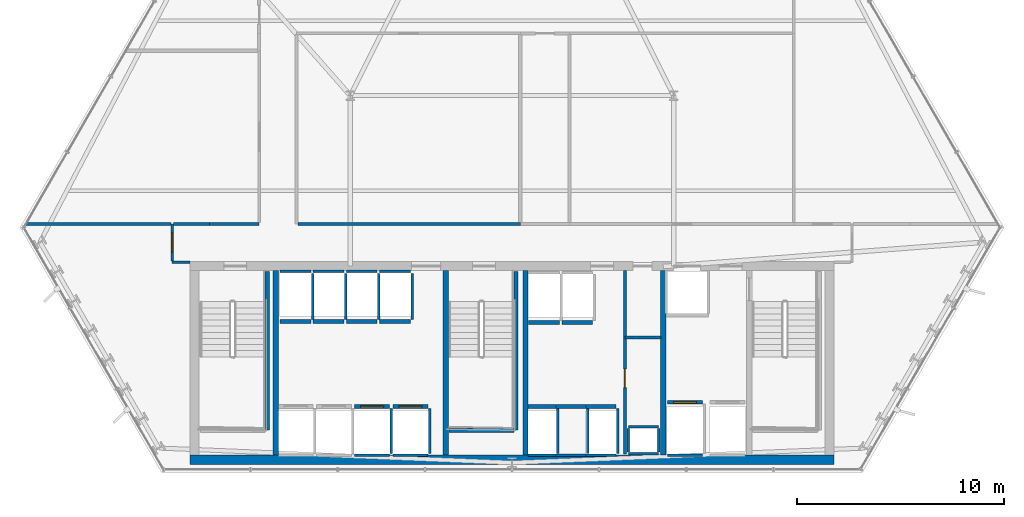
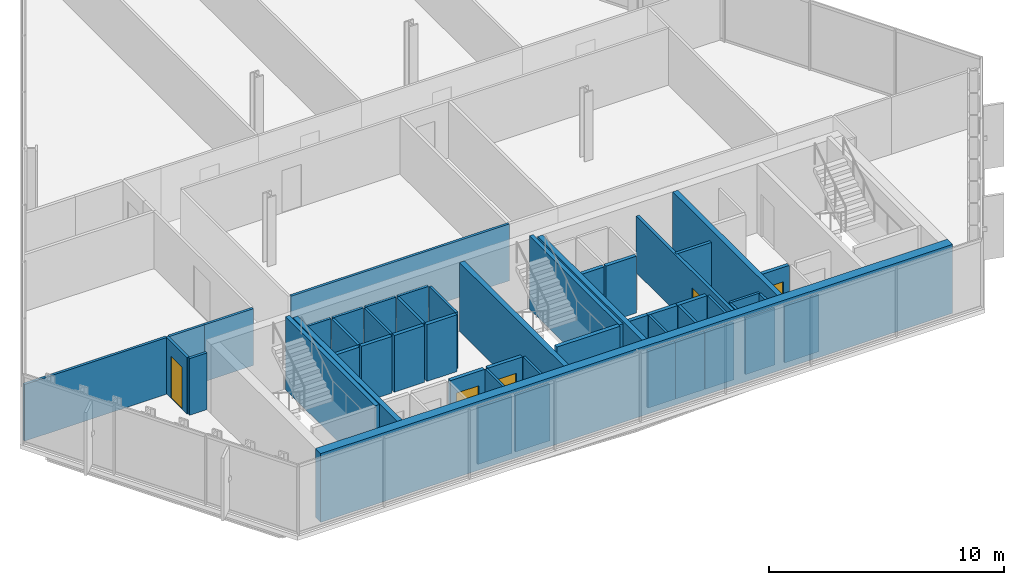
# One storey, part 25 of 31: 51 walls, 5 doors, 5 openings.
"""IFC4 building model written with IfcOpenShell, lengths in metres."""

from ifc_helpers import new_model, si_unit, direction, frame, frame_2d, origin, place, context, subcontext, project, spatial, rectangle, extrude, material, layer, layer_set, type_object, element, fill, save


model = new_model("IFC4")

# Units and contexts
model_context = context("Model", 3, precision=1e-05, world=origin(), true_north=direction((0.0, 1.0)))
body_context = subcontext(model_context, "Body", "Model", "MODEL_VIEW")
ifc_project = project(units=[si_unit("LENGTHUNIT", "METRE"), si_unit("AREAUNIT", "SQUARE_METRE"), si_unit("VOLUMEUNIT", "CUBIC_METRE"), si_unit("PLANEANGLEUNIT", "RADIAN"), si_unit("MASSUNIT", "GRAM", prefix="KILO")], contexts=[model_context])

# Site, building, storey
site_placement = place(None, origin())
site = spatial("IfcSite", under=ifc_project, at=site_placement, CompositionType="ELEMENT")
building_placement = place(site_placement, origin())
building = spatial("IfcBuilding", under=site, at=building_placement, Name="Ndaravel Arena Tower", CompositionType="ELEMENT")
storey_placement = place(building_placement, frame((0.0, 0.0, 104.39990234375)))
storey = spatial("IfcBuildingStorey", under=building, at=storey_placement, Name="L24", CompositionType="ELEMENT", Elevation=104.39990234375)

# Wall, opening, door
ifc_material_1 = material(Name="Gypsum", Category="gypsum")
ifc_layer_1 = layer(ifc_material_1, 0.14990234375)
ifc_layer_set_1 = layer_set([ifc_layer_1], Name="Gypsum")
wall_type_1 = type_object("IfcWallType", Name="WALL-COMP-150", PredefinedType="PARTITIONING", material=ifc_layer_set_1)
wall_1_placement = place(storey_placement, frame((47.449951171875, 5.89990234375, 0.0), z_axis=(0.0, 0.0, 1.0), x_axis=(0.0, 1.0, 0.0)))
wall_1 = element("IfcWall", 1, at=wall_1_placement, inside=storey, type_object=wall_type_1, Name="L24 Core Riser Bay Partition", PredefinedType="PARTITIONING", context=body_context, shape_type="SweptSolid", body=[
    extrude(rectangle(XDim=8.85009765625, YDim=0.14990234375, at=frame_2d((4.425048828125, 0.0))), origin(), (0.0, 0.0, 1.0), 2.9501953125),
])
opening_1_placement = place(wall_1_placement, frame((3.199951171875, 0.0, 0.0)))
opening_1 = element("IfcOpeningElement", 2, at=opening_1_placement, cuts=wall_1, Name="Opening RD-01", PredefinedType="OPENING", context=body_context, shape_type="SweptSolid", body=[
    extrude(rectangle(XDim=0.89990234375, YDim=2.10009765625, at=frame_2d((0.449951171875, 1.050048828125))), frame((0.0, 0.074951171875, 0.0), z_axis=(0.0, -1.0, 0.0), x_axis=(1.0, 0.0, 0.0)), (0.0, 0.0, 1.0), 0.14990234375),
])
ifc_material_2 = material(Name="Steel S355", Category="steel")
door_type_1 = type_object("IfcDoorType", Name="DT-08-RISER-900", OperationType="SINGLE_SWING_LEFT", PredefinedType="DOOR", material=ifc_material_2)
door_1_placement = place(opening_1_placement, origin())
door_1 = element("IfcDoor", 3, at=door_1_placement, inside=storey, type_object=door_type_1, Name="L24 Sub-Metering Closet Door", OperationType="SINGLE_SWING_LEFT", OverallHeight=2.10009765625, OverallWidth=0.89990234375, PredefinedType="DOOR", context=body_context, shape_type="SweptSolid", body=[
    extrude(rectangle(XDim=0.89990234375, YDim=2.10009765625, at=frame_2d((0.449951171875, 1.050048828125))), frame((0.0, 0.02490234375, 0.0), z_axis=(0.0, -1.0, 0.0), x_axis=(1.0, 0.0, 0.0)), (0.0, 0.0, 1.0), 0.050048828125),
])
fill(opening_1, door_1)

# Walls
wall_2_placement = place(storey_placement, frame((47.449951171875, 11.52001953125, 0.0), z_axis=(0.0, 0.0, 1.0), x_axis=(1.0, 0.0, 0.0)))
element("IfcWall", 4, at=wall_2_placement, inside=storey, type_object=wall_type_1, Name="L24 Core Riser Divider 1", PredefinedType="PARTITIONING", context=body_context, shape_type="SweptSolid", body=[
    extrude(rectangle(XDim=1.72998046875, YDim=0.14990234375, at=frame_2d((0.864990234375, 0.0))), origin(), (0.0, 0.0, 1.0), 2.9501953125),
])
ifc_material_3 = material(Name="Concrete C60/75", Category="concrete")
ifc_layer_2 = layer(ifc_material_3, 0.25)
ifc_layer_set_2 = layer_set([ifc_layer_2], Name="Concrete C60/75")
wall_type_2 = type_object("IfcWallType", Name="WALL-CORE-250", PredefinedType="SOLIDWALL", material=ifc_layer_set_2)
for number, where, z_axis, x_axis, name in (
    (5, (30.60009765625, 5.85009765625, 0.0), (0.0, 0.0, 1.0), (0.0, 1.0, 0.0), "L24 Core Web Shear Wall 1"),
    (6, (38.800048828125, 5.85009765625, 0.0), (0.0, 0.0, 1.0), (0.0, 1.0, 0.0), "L24 Core Web Shear Wall 2"),
    (7, (42.64990234375, 5.85009765625, 0.0), (0.0, 0.0, 1.0), (0.0, 1.0, 0.0), "L24 Core Web Shear Wall 3"),
    (8, (49.300048828125, 5.85009765625, 0.0), (0.0, 0.0, 1.0), (0.0, 1.0, 0.0), "L24 Core Web Shear Wall 4"),
):
    element("IfcWall", number, at=place(storey_placement, frame(where, z_axis=z_axis, x_axis=x_axis)), inside=storey, type_object=wall_type_2, Name=name, PredefinedType="SOLIDWALL", context=body_context, shape_type="SweptSolid", body=[
        extrude(rectangle(XDim=8.89990234375, YDim=0.25, at=frame_2d((4.449951171875, 0.0))), origin(), (0.0, 0.0, 1.0), 3.580078125),
    ])
ifc_material_4 = material(Name="Concrete C60/75", Category="concrete")
ifc_layer_3 = layer(ifc_material_4, 0.449951171875)
ifc_layer_set_3 = layer_set([ifc_layer_3], Name="Concrete C60/75")
wall_type_3 = type_object("IfcWallType", Name="WALL-CORE-450", PredefinedType="SOLIDWALL", material=ifc_layer_set_3)
wall_3_placement = place(storey_placement, frame((26.449951171875, 5.625, 0.0), z_axis=(0.0, 0.0, 1.0), x_axis=(1.0, 0.0, 0.0)))
element("IfcWall", 9, at=wall_3_placement, inside=storey, type_object=wall_type_3, Name="L24 Core South Shear Wall", PredefinedType="SOLIDWALL", context=body_context, shape_type="SweptSolid", body=[
    extrude(rectangle(XDim=31.10009765625, YDim=0.449951171875, at=frame_2d((15.550048828125, 0.0))), origin(), (0.0, 0.0, 1.0), 3.580078125),
])
ifc_material_5 = material(Name="Gypsum", Category="gypsum")
ifc_layer_4 = layer(ifc_material_5, 0.125)
ifc_layer_set_4 = layer_set([ifc_layer_4], Name="Gypsum")
wall_type_4 = type_object("IfcWallType", Name="WALL-PART-125", PredefinedType="PARTITIONING", material=ifc_layer_set_4)
wall_4_placement = place(storey_placement, frame((26.449951171875, 15.14990234375, 0.0), z_axis=(0.0, 0.0, 1.0), x_axis=(-1.0, 0.0, 0.0)))
element("IfcWall", 10, at=wall_4_placement, inside=storey, type_object=wall_type_4, Name="L24 Interior Partition 003", PredefinedType="PARTITIONING", context=body_context, shape_type="SweptSolid", body=[
    extrude(rectangle(XDim=0.849853515625, YDim=0.125, at=frame_2d((0.4248046875, 0.0))), origin(), (0.0, 0.0, 1.0), 2.9501953125),
])

# Wall, opening, door
wall_5_placement = place(storey_placement, frame((25.60009765625, 15.215087890625, 0.0), z_axis=(0.0, 0.0, 1.0), x_axis=(0.0, 1.0, 0.0)))
wall_5 = element("IfcWall", 11, at=wall_5_placement, inside=storey, type_object=wall_type_4, Name="L24 Interior Partition 004", PredefinedType="PARTITIONING", context=body_context, shape_type="SweptSolid", body=[
    extrude(rectangle(XDim=1.784912109375, YDim=0.125, at=frame_2d((0.892578125, 0.0))), origin(), (0.0, 0.0, 1.0), 2.9501953125),
])
opening_2_placement = place(wall_5_placement, frame((0.41748046875, 0.0, 0.0)))
opening_2 = element("IfcOpeningElement", 12, at=opening_2_placement, cuts=wall_5, Name="Opening ID-01", PredefinedType="OPENING", context=body_context, shape_type="SweptSolid", body=[
    extrude(rectangle(XDim=0.949951171875, YDim=2.199951171875, at=frame_2d((0.47509765625, 1.10009765625))), frame((0.0, 0.0625, 0.0), z_axis=(0.0, -1.0, 0.0), x_axis=(1.0, 0.0, 0.0)), (0.0, 0.0, 1.0), 0.125),
])
ifc_material_6 = material(Name="Timber", Category="wood")
door_type_2 = type_object("IfcDoorType", Name="DT-03-OFFICE-950", OperationType="SINGLE_SWING_LEFT", PredefinedType="DOOR", material=ifc_material_6)
door_2_placement = place(opening_2_placement, origin())
door_2 = element("IfcDoor", 13, at=door_2_placement, inside=storey, type_object=door_type_2, Name="L24 Open Plan Workplace Door", OperationType="SINGLE_SWING_LEFT", OverallHeight=2.199951171875, OverallWidth=0.949951171875, PredefinedType="DOOR", context=body_context, shape_type="SweptSolid", body=[
    extrude(rectangle(XDim=0.949951171875, YDim=2.199951171875, at=frame_2d((0.47509765625, 1.10009765625))), frame((0.0, 0.02490234375, 0.0), z_axis=(0.0, -1.0, 0.0), x_axis=(1.0, 0.0, 0.0)), (0.0, 0.0, 1.0), 0.050048828125),
])
fill(opening_2, door_2)

# Walls
wall_6_placement = place(storey_placement, frame((25.6650390625, 17.0, 0.0), z_axis=(0.0, 0.0, 1.0), x_axis=(1.0, 0.0, 0.0)))
element("IfcWall", 14, at=wall_6_placement, inside=storey, type_object=wall_type_4, Name="L24 Interior Partition 005", PredefinedType="PARTITIONING", context=body_context, shape_type="SweptSolid", body=[
    extrude(rectangle(XDim=1.73486328125, YDim=0.125, at=frame_2d((0.867431640625, 0.0))), origin(), (0.0, 0.0, 1.0), 2.9501953125),
])
wall_7_placement = place(storey_placement, frame((27.39990234375, 17.0, 0.0), z_axis=(0.0, 0.0, 1.0), x_axis=(1.0, 0.0, 0.0)))
element("IfcWall", 15, at=wall_7_placement, inside=storey, type_object=wall_type_4, Name="L24 Interior Partition 006", PredefinedType="PARTITIONING", context=body_context, shape_type="SweptSolid", body=[
    extrude(rectangle(XDim=2.400146484375, YDim=0.125, at=frame_2d((1.2001953125, 0.0))), origin(), (0.0, 0.0, 1.0), 2.9501953125),
])
wall_8_placement = place(storey_placement, frame((31.6650390625, 17.0, 0.0), z_axis=(0.0, 0.0, 1.0), x_axis=(1.0, 0.0, 0.0)))
element("IfcWall", 16, at=wall_8_placement, inside=storey, type_object=wall_type_4, Name="L24 Interior Partition 020", PredefinedType="PARTITIONING", context=body_context, shape_type="SweptSolid", body=[
    extrude(rectangle(XDim=10.73486328125, YDim=0.125, at=frame_2d((5.367431640625, 0.0))), origin(), (0.0, 0.0, 1.0), 2.9501953125),
])
wall_9_placement = place(storey_placement, frame((18.539306640625, 17.0, 0.0), z_axis=(0.0, 0.0, 1.0), x_axis=(1.0, 0.0, 0.0)))
element("IfcWall", 17, at=wall_9_placement, inside=storey, type_object=wall_type_4, Name="L24 Interior Partition 024", PredefinedType="PARTITIONING", context=body_context, shape_type="SweptSolid", body=[
    extrude(rectangle(XDim=6.99560546875, YDim=0.125, at=frame_2d((3.497802734375, 0.0))), origin(), (0.0, 0.0, 1.0), 2.9501953125),
])
ifc_material_7 = material(Name="Concrete C40/50", Category="concrete")
ifc_layer_5 = layer(ifc_material_7, 0.1201171875)
ifc_layer_set_5 = layer_set([ifc_layer_5], Name="Concrete C40/50")
wall_type_5 = type_object("IfcWallType", Name="WALL-SHAFT-120", PredefinedType="SOLIDWALL", material=ifc_layer_set_5)
for number, where, z_axis, x_axis, name in (
    (18, (47.6201171875, 5.919921875, 0.0), (0.0, 0.0, 1.0), (1.0, 0.0, 0.0), "L24 MEP Riser Shaft S Wall"),
    (19, (47.6201171875, 7.219970703125, 0.0), (0.0, 0.0, 1.0), (1.0, 0.0, 0.0), "L24 MEP Riser Shaft N Wall"),
):
    element("IfcWall", number, at=place(storey_placement, frame(where, z_axis=z_axis, x_axis=x_axis)), inside=storey, type_object=wall_type_5, Name=name, PredefinedType="SOLIDWALL", context=body_context, shape_type="SweptSolid", body=[
        extrude(rectangle(XDim=1.4599609375, YDim=0.1201171875, at=frame_2d((0.72998046875, 0.0))), origin(), (0.0, 0.0, 1.0), 2.9501953125),
    ])
for number, where, z_axis, x_axis, name in (
    (20, (47.6201171875, 6.0, 0.0), (0.0, 0.0, 1.0), (0.0, 1.0, 0.0), "L24 MEP Riser Shaft W Wall"),
    (21, (49.080078125, 6.0, 0.0), (0.0, 0.0, 1.0), (0.0, 1.0, 0.0), "L24 MEP Riser Shaft E Wall"),
):
    element("IfcWall", number, at=place(storey_placement, frame(where, z_axis=z_axis, x_axis=x_axis)), inside=storey, type_object=wall_type_5, Name=name, PredefinedType="SOLIDWALL", context=body_context, shape_type="SweptSolid", body=[
        extrude(rectangle(XDim=1.139892578125, YDim=0.1201171875, at=frame_2d((0.56982421875, 0.0))), origin(), (0.0, 0.0, 1.0), 2.9501953125),
    ])
wall_10_placement = place(storey_placement, frame((34.405029296875, 5.840087890625, 0.0), z_axis=(0.0, 0.0, 1.0), x_axis=(1.0, 0.0, 0.0)))
element("IfcWall", 22, at=wall_10_placement, inside=storey, type_object=wall_type_5, Name="L24 PL-L3 Shaft Rear Wall", PredefinedType="SOLIDWALL", context=body_context, shape_type="SweptSolid", body=[
    extrude(rectangle(XDim=1.68994140625, YDim=0.1201171875, at=frame_2d((0.844970703125, 0.0))), origin(), (0.0, 0.0, 1.0), 2.9501953125),
])
wall_11_placement = place(storey_placement, frame((36.175048828125, 5.929931640625, 0.0), z_axis=(0.0, 0.0, 1.0), x_axis=(0.0, 1.0, 0.0)))
element("IfcWall", 23, at=wall_11_placement, inside=storey, type_object=wall_type_5, Name="L24 PL-L3 Shaft Side R Wall", PredefinedType="SOLIDWALL", context=body_context, shape_type="SweptSolid", body=[
    extrude(rectangle(XDim=2.18017578125, YDim=0.1201171875, at=frame_2d((1.090087890625, 0.0))), origin(), (0.0, 0.0, 1.0), 2.9501953125),
])
wall_12_placement = place(storey_placement, frame((36.2548828125, 5.840087890625, 0.0), z_axis=(0.0, 0.0, 1.0), x_axis=(1.0, 0.0, 0.0)))
element("IfcWall", 24, at=wall_12_placement, inside=storey, type_object=wall_type_5, Name="L24 PL-L4 Shaft Rear Wall", PredefinedType="SOLIDWALL", context=body_context, shape_type="SweptSolid", body=[
    extrude(rectangle(XDim=1.690185546875, YDim=0.1201171875, at=frame_2d((0.84521484375, 0.0))), origin(), (0.0, 0.0, 1.0), 2.9501953125),
])
wall_13_placement = place(storey_placement, frame((38.02490234375, 5.929931640625, 0.0), z_axis=(0.0, 0.0, 1.0), x_axis=(0.0, 1.0, 0.0)))
element("IfcWall", 25, at=wall_13_placement, inside=storey, type_object=wall_type_5, Name="L24 PL-L4 Shaft Side R Wall", PredefinedType="SOLIDWALL", context=body_context, shape_type="SweptSolid", body=[
    extrude(rectangle(XDim=2.18017578125, YDim=0.1201171875, at=frame_2d((1.090087890625, 0.0))), origin(), (0.0, 0.0, 1.0), 2.9501953125),
])
wall_14_placement = place(storey_placement, frame((30.804931640625, 14.7099609375, 0.0), z_axis=(0.0, 0.0, 1.0), x_axis=(1.0, 0.0, 0.0)))
element("IfcWall", 26, at=wall_14_placement, inside=storey, type_object=wall_type_5, Name="L24 PL-M1 Shaft Rear Wall", PredefinedType="SOLIDWALL", context=body_context, shape_type="SweptSolid", body=[
    extrude(rectangle(XDim=1.489990234375, YDim=0.1201171875, at=frame_2d((0.7451171875, 0.0))), origin(), (0.0, 0.0, 1.0), 2.9501953125),
])
wall_15_placement = place(storey_placement, frame((32.375, 12.389892578125, 0.0), z_axis=(0.0, 0.0, 1.0), x_axis=(0.0, 1.0, 0.0)))
element("IfcWall", 27, at=wall_15_placement, inside=storey, type_object=wall_type_5, Name="L24 PL-M1 Shaft Side R Wall", PredefinedType="SOLIDWALL", context=body_context, shape_type="SweptSolid", body=[
    extrude(rectangle(XDim=2.230224609375, YDim=0.1201171875, at=frame_2d((1.115234375, 0.0))), origin(), (0.0, 0.0, 1.0), 2.9501953125),
])
wall_16_placement = place(storey_placement, frame((32.405029296875, 14.7099609375, 0.0), z_axis=(0.0, 0.0, 1.0), x_axis=(1.0, 0.0, 0.0)))
element("IfcWall", 28, at=wall_16_placement, inside=storey, type_object=wall_type_5, Name="L24 PL-M2 Shaft Rear Wall", PredefinedType="SOLIDWALL", context=body_context, shape_type="SweptSolid", body=[
    extrude(rectangle(XDim=1.489990234375, YDim=0.1201171875, at=frame_2d((0.7451171875, 0.0))), origin(), (0.0, 0.0, 1.0), 2.9501953125),
])
wall_17_placement = place(storey_placement, frame((33.97509765625, 12.389892578125, 0.0), z_axis=(0.0, 0.0, 1.0), x_axis=(0.0, 1.0, 0.0)))
element("IfcWall", 29, at=wall_17_placement, inside=storey, type_object=wall_type_5, Name="L24 PL-M2 Shaft Side R Wall", PredefinedType="SOLIDWALL", context=body_context, shape_type="SweptSolid", body=[
    extrude(rectangle(XDim=2.230224609375, YDim=0.1201171875, at=frame_2d((1.115234375, 0.0))), origin(), (0.0, 0.0, 1.0), 2.9501953125),
])
wall_18_placement = place(storey_placement, frame((34.0048828125, 14.7099609375, 0.0), z_axis=(0.0, 0.0, 1.0), x_axis=(1.0, 0.0, 0.0)))
element("IfcWall", 30, at=wall_18_placement, inside=storey, type_object=wall_type_5, Name="L24 PL-M3 Shaft Rear Wall", PredefinedType="SOLIDWALL", context=body_context, shape_type="SweptSolid", body=[
    extrude(rectangle(XDim=1.490234375, YDim=0.1201171875, at=frame_2d((0.7451171875, 0.0))), origin(), (0.0, 0.0, 1.0), 2.9501953125),
])
wall_19_placement = place(storey_placement, frame((35.574951171875, 12.389892578125, 0.0), z_axis=(0.0, 0.0, 1.0), x_axis=(0.0, 1.0, 0.0)))
element("IfcWall", 31, at=wall_19_placement, inside=storey, type_object=wall_type_5, Name="L24 PL-M3 Shaft Side R Wall", PredefinedType="SOLIDWALL", context=body_context, shape_type="SweptSolid", body=[
    extrude(rectangle(XDim=2.230224609375, YDim=0.1201171875, at=frame_2d((1.115234375, 0.0))), origin(), (0.0, 0.0, 1.0), 2.9501953125),
])
wall_20_placement = place(storey_placement, frame((35.60498046875, 14.7099609375, 0.0), z_axis=(0.0, 0.0, 1.0), x_axis=(1.0, 0.0, 0.0)))
element("IfcWall", 32, at=wall_20_placement, inside=storey, type_object=wall_type_5, Name="L24 PL-M4 Shaft Rear Wall", PredefinedType="SOLIDWALL", context=body_context, shape_type="SweptSolid", body=[
    extrude(rectangle(XDim=1.489990234375, YDim=0.1201171875, at=frame_2d((0.7451171875, 0.0))), origin(), (0.0, 0.0, 1.0), 2.9501953125),
])
wall_21_placement = place(storey_placement, frame((37.175048828125, 12.389892578125, 0.0), z_axis=(0.0, 0.0, 1.0), x_axis=(0.0, 1.0, 0.0)))
element("IfcWall", 33, at=wall_21_placement, inside=storey, type_object=wall_type_5, Name="L24 PL-M4 Shaft Side R Wall", PredefinedType="SOLIDWALL", context=body_context, shape_type="SweptSolid", body=[
    extrude(rectangle(XDim=2.230224609375, YDim=0.1201171875, at=frame_2d((1.115234375, 0.0))), origin(), (0.0, 0.0, 1.0), 2.9501953125),
])
wall_22_placement = place(storey_placement, frame((42.780029296875, 5.840087890625, 0.0), z_axis=(0.0, 0.0, 1.0), x_axis=(1.0, 0.0, 0.0)))
element("IfcWall", 34, at=wall_22_placement, inside=storey, type_object=wall_type_5, Name="L24 PL-H1 Shaft Rear Wall", PredefinedType="SOLIDWALL", context=body_context, shape_type="SweptSolid", body=[
    extrude(rectangle(XDim=1.340087890625, YDim=0.1201171875, at=frame_2d((0.669921875, 0.0))), origin(), (0.0, 0.0, 1.0), 2.9501953125),
])
wall_23_placement = place(storey_placement, frame((44.199951171875, 5.929931640625, 0.0), z_axis=(0.0, 0.0, 1.0), x_axis=(0.0, 1.0, 0.0)))
element("IfcWall", 35, at=wall_23_placement, inside=storey, type_object=wall_type_5, Name="L24 PL-H1 Shaft Side R Wall", PredefinedType="SOLIDWALL", context=body_context, shape_type="SweptSolid", body=[
    extrude(rectangle(XDim=2.18017578125, YDim=0.1201171875, at=frame_2d((1.090087890625, 0.0))), origin(), (0.0, 0.0, 1.0), 2.9501953125),
])
wall_24_placement = place(storey_placement, frame((44.1298828125, 5.840087890625, 0.0), z_axis=(0.0, 0.0, 1.0), x_axis=(1.0, 0.0, 0.0)))
element("IfcWall", 36, at=wall_24_placement, inside=storey, type_object=wall_type_5, Name="L24 PL-H2 Shaft Rear Wall", PredefinedType="SOLIDWALL", context=body_context, shape_type="SweptSolid", body=[
    extrude(rectangle(XDim=1.440185546875, YDim=0.1201171875, at=frame_2d((0.72021484375, 0.0))), origin(), (0.0, 0.0, 1.0), 2.9501953125),
])
wall_25_placement = place(storey_placement, frame((45.64990234375, 5.929931640625, 0.0), z_axis=(0.0, 0.0, 1.0), x_axis=(0.0, 1.0, 0.0)))
element("IfcWall", 37, at=wall_25_placement, inside=storey, type_object=wall_type_5, Name="L24 PL-H2 Shaft Side R Wall", PredefinedType="SOLIDWALL", context=body_context, shape_type="SweptSolid", body=[
    extrude(rectangle(XDim=2.18017578125, YDim=0.1201171875, at=frame_2d((1.090087890625, 0.0))), origin(), (0.0, 0.0, 1.0), 2.9501953125),
])
wall_26_placement = place(storey_placement, frame((45.580078125, 5.840087890625, 0.0), z_axis=(0.0, 0.0, 1.0), x_axis=(1.0, 0.0, 0.0)))
element("IfcWall", 38, at=wall_26_placement, inside=storey, type_object=wall_type_5, Name="L24 PL-H3 Shaft Rear Wall", PredefinedType="SOLIDWALL", context=body_context, shape_type="SweptSolid", body=[
    extrude(rectangle(XDim=1.43994140625, YDim=0.1201171875, at=frame_2d((0.719970703125, 0.0))), origin(), (0.0, 0.0, 1.0), 2.9501953125),
])
wall_27_placement = place(storey_placement, frame((47.10009765625, 5.929931640625, 0.0), z_axis=(0.0, 0.0, 1.0), x_axis=(0.0, 1.0, 0.0)))
element("IfcWall", 39, at=wall_27_placement, inside=storey, type_object=wall_type_5, Name="L24 PL-H3 Shaft Side R Wall", PredefinedType="SOLIDWALL", context=body_context, shape_type="SweptSolid", body=[
    extrude(rectangle(XDim=2.18017578125, YDim=0.1201171875, at=frame_2d((1.090087890625, 0.0))), origin(), (0.0, 0.0, 1.0), 2.9501953125),
])
wall_28_placement = place(storey_placement, frame((49.5048828125, 5.840087890625, 0.0), z_axis=(0.0, 0.0, 1.0), x_axis=(1.0, 0.0, 0.0)))
element("IfcWall", 40, at=wall_28_placement, inside=storey, type_object=wall_type_5, Name="L24 FFL-1 Shaft Rear Wall", PredefinedType="SOLIDWALL", context=body_context, shape_type="SweptSolid", body=[
    extrude(rectangle(XDim=1.690185546875, YDim=0.1201171875, at=frame_2d((0.84521484375, 0.0))), origin(), (0.0, 0.0, 1.0), 2.9501953125),
])
ifc_material_8 = material(Name="Concrete C40/50", Category="concrete")
ifc_layer_6 = layer(ifc_material_8, 0.199951171875)
ifc_layer_set_6 = layer_set([ifc_layer_6], Name="Concrete C40/50")
wall_type_6 = type_object("IfcWallType", Name="WALL-SHAFT-200", PredefinedType="SOLIDWALL", material=ifc_layer_set_6)
for number, where, z_axis, x_axis, name in (
    (41, (30.18994140625, 14.699951171875, 0.0), (0.0, 0.0, 1.0), (0.0, -1.0, 0.0), "L24 ST-1 Structural Shaft Wall Right"),
    (42, (42.18994140625, 14.699951171875, 0.0), (0.0, 0.0, 1.0), (0.0, -1.0, 0.0), "L24 ST-2 Structural Shaft Wall Right"),
):
    element("IfcWall", number, at=place(storey_placement, frame(where, z_axis=z_axis, x_axis=x_axis)), inside=storey, type_object=wall_type_6, Name=name, PredefinedType="SOLIDWALL", context=body_context, shape_type="SweptSolid", body=[
        extrude(rectangle(XDim=7.64990234375, YDim=0.199951171875, at=frame_2d((3.824951171875, 0.0))), origin(), (0.0, 0.0, 1.0), 3.800048828125),
    ])
wall_29_placement = place(storey_placement, frame((38.969970703125, 7.050048828125, 0.0), z_axis=(0.0, 0.0, 1.0), x_axis=(1.0, 0.0, 0.0)))
element("IfcWall", 43, at=wall_29_placement, inside=storey, type_object=wall_type_6, Name="L24 ST-2 Structural Shaft Wall Far", PredefinedType="SOLIDWALL", context=body_context, shape_type="SweptSolid", body=[
    extrude(rectangle(XDim=3.114990234375, YDim=0.199951171875, at=frame_2d((1.5576171875, 0.0))), origin(), (0.0, 0.0, 1.0), 3.800048828125),
])

# Wall, opening, door
wall_30_placement = place(storey_placement, frame((34.405029296875, 8.199951171875, 0.0), z_axis=(0.0, 0.0, 1.0), x_axis=(1.0, 0.0, 0.0)))
wall_30 = element("IfcWall", 44, at=wall_30_placement, inside=storey, type_object=wall_type_6, Name="L24 PL-L3 Shaft Landing Wall", PredefinedType="SOLIDWALL", context=body_context, shape_type="SweptSolid", body=[
    extrude(rectangle(XDim=1.68994140625, YDim=0.179931640625, at=frame_2d((0.844970703125, 0.0))), origin(), (0.0, 0.0, 1.0), 2.9501953125),
])
opening_3_placement = place(wall_30_placement, frame((0.294921875, 0.0, 0.0)))
opening_3 = element("IfcOpeningElement", 45, at=opening_3_placement, cuts=wall_30, Name="Opening LD-01", PredefinedType="OPENING", context=body_context, shape_type="SweptSolid", body=[
    extrude(rectangle(XDim=1.10009765625, YDim=2.199951171875, at=frame_2d((0.550048828125, 1.10009765625))), frame((0.0, 0.08984375, 0.0), z_axis=(0.0, -1.0, 0.0), x_axis=(1.0, 0.0, 0.0)), (0.0, 0.0, 1.0), 0.179931640625),
])
ifc_material_9 = material(Name="Steel S355", Category="steel")
door_type_3 = type_object("IfcDoorType", Name="DT-06-LIFT-1100", OperationType="SLIDING_TO_LEFT", PredefinedType="DOOR", material=ifc_material_9)
door_3_placement = place(opening_3_placement, origin())
door_3 = element("IfcDoor", 46, at=door_3_placement, inside=storey, type_object=door_type_3, Name="L24 Lift PL-L3 Sliding Landing Door", OperationType="SLIDING_TO_LEFT", OverallHeight=2.199951171875, OverallWidth=1.10009765625, PredefinedType="DOOR", context=body_context, shape_type="SweptSolid", body=[
    extrude(rectangle(XDim=1.10009765625, YDim=2.199951171875, at=frame_2d((0.550048828125, 1.10009765625))), frame((0.0, 0.02490234375, 0.0), z_axis=(0.0, -1.0, 0.0), x_axis=(1.0, 0.0, 0.0)), (0.0, 0.0, 1.0), 0.050048828125),
])
fill(opening_3, door_3)

wall_31_placement = place(storey_placement, frame((36.2548828125, 8.199951171875, 0.0), z_axis=(0.0, 0.0, 1.0), x_axis=(1.0, 0.0, 0.0)))
wall_31 = element("IfcWall", 47, at=wall_31_placement, inside=storey, type_object=wall_type_6, Name="L24 PL-L4 Shaft Landing Wall", PredefinedType="SOLIDWALL", context=body_context, shape_type="SweptSolid", body=[
    extrude(rectangle(XDim=1.690185546875, YDim=0.179931640625, at=frame_2d((0.84521484375, 0.0))), origin(), (0.0, 0.0, 1.0), 2.9501953125),
])
opening_4_placement = place(wall_31_placement, frame((0.294921875, 0.0, 0.0)))
opening_4 = element("IfcOpeningElement", 48, at=opening_4_placement, cuts=wall_31, Name="Opening LD-01", PredefinedType="OPENING", context=body_context, shape_type="SweptSolid", body=[
    extrude(rectangle(XDim=1.10009765625, YDim=2.199951171875, at=frame_2d((0.550048828125, 1.10009765625))), frame((0.0, 0.08984375, 0.0), z_axis=(0.0, -1.0, 0.0), x_axis=(1.0, 0.0, 0.0)), (0.0, 0.0, 1.0), 0.179931640625),
])
door_4_placement = place(opening_4_placement, origin())
door_4 = element("IfcDoor", 49, at=door_4_placement, inside=storey, type_object=door_type_3, Name="L24 Lift PL-L4 Sliding Landing Door", OperationType="SLIDING_TO_LEFT", OverallHeight=2.199951171875, OverallWidth=1.10009765625, PredefinedType="DOOR", context=body_context, shape_type="SweptSolid", body=[
    extrude(rectangle(XDim=1.10009765625, YDim=2.199951171875, at=frame_2d((0.550048828125, 1.10009765625))), frame((0.0, 0.02490234375, 0.0), z_axis=(0.0, -1.0, 0.0), x_axis=(1.0, 0.0, 0.0)), (0.0, 0.0, 1.0), 0.050048828125),
])
fill(opening_4, door_4)

# Walls
for number, where, z_axis, x_axis, name in (
    (50, (30.804931640625, 12.300048828125, 0.0), (0.0, 0.0, 1.0), (1.0, 0.0, 0.0), "L24 PL-M1 Shaft Landing Wall"),
    (51, (32.405029296875, 12.300048828125, 0.0), (0.0, 0.0, 1.0), (1.0, 0.0, 0.0), "L24 PL-M2 Shaft Landing Wall"),
):
    element("IfcWall", number, at=place(storey_placement, frame(where, z_axis=z_axis, x_axis=x_axis)), inside=storey, type_object=wall_type_6, Name=name, PredefinedType="SOLIDWALL", context=body_context, shape_type="SweptSolid", body=[
        extrude(rectangle(XDim=1.489990234375, YDim=0.179931640625, at=frame_2d((0.7451171875, 0.0))), origin(), (0.0, 0.0, 1.0), 2.9501953125),
    ])
wall_32_placement = place(storey_placement, frame((34.0048828125, 12.300048828125, 0.0), z_axis=(0.0, 0.0, 1.0), x_axis=(1.0, 0.0, 0.0)))
element("IfcWall", 52, at=wall_32_placement, inside=storey, type_object=wall_type_6, Name="L24 PL-M3 Shaft Landing Wall", PredefinedType="SOLIDWALL", context=body_context, shape_type="SweptSolid", body=[
    extrude(rectangle(XDim=1.490234375, YDim=0.179931640625, at=frame_2d((0.7451171875, 0.0))), origin(), (0.0, 0.0, 1.0), 2.9501953125),
])
wall_33_placement = place(storey_placement, frame((35.60498046875, 12.300048828125, 0.0), z_axis=(0.0, 0.0, 1.0), x_axis=(1.0, 0.0, 0.0)))
element("IfcWall", 53, at=wall_33_placement, inside=storey, type_object=wall_type_6, Name="L24 PL-M4 Shaft Landing Wall", PredefinedType="SOLIDWALL", context=body_context, shape_type="SweptSolid", body=[
    extrude(rectangle(XDim=1.489990234375, YDim=0.179931640625, at=frame_2d((0.7451171875, 0.0))), origin(), (0.0, 0.0, 1.0), 2.9501953125),
])
wall_34_placement = place(storey_placement, frame((42.780029296875, 8.199951171875, 0.0), z_axis=(0.0, 0.0, 1.0), x_axis=(1.0, 0.0, 0.0)))
element("IfcWall", 54, at=wall_34_placement, inside=storey, type_object=wall_type_6, Name="L24 PL-H1 Shaft Landing Wall", PredefinedType="SOLIDWALL", context=body_context, shape_type="SweptSolid", body=[
    extrude(rectangle(XDim=1.340087890625, YDim=0.179931640625, at=frame_2d((0.669921875, 0.0))), origin(), (0.0, 0.0, 1.0), 2.9501953125),
])
wall_35_placement = place(storey_placement, frame((44.1298828125, 8.199951171875, 0.0), z_axis=(0.0, 0.0, 1.0), x_axis=(1.0, 0.0, 0.0)))
element("IfcWall", 55, at=wall_35_placement, inside=storey, type_object=wall_type_6, Name="L24 PL-H2 Shaft Landing Wall", PredefinedType="SOLIDWALL", context=body_context, shape_type="SweptSolid", body=[
    extrude(rectangle(XDim=1.440185546875, YDim=0.179931640625, at=frame_2d((0.72021484375, 0.0))), origin(), (0.0, 0.0, 1.0), 2.9501953125),
])
wall_36_placement = place(storey_placement, frame((45.580078125, 8.199951171875, 0.0), z_axis=(0.0, 0.0, 1.0), x_axis=(1.0, 0.0, 0.0)))
element("IfcWall", 56, at=wall_36_placement, inside=storey, type_object=wall_type_6, Name="L24 PL-H3 Shaft Landing Wall", PredefinedType="SOLIDWALL", context=body_context, shape_type="SweptSolid", body=[
    extrude(rectangle(XDim=1.43994140625, YDim=0.179931640625, at=frame_2d((0.719970703125, 0.0))), origin(), (0.0, 0.0, 1.0), 2.9501953125),
])
for number, where, z_axis, x_axis, name in (
    (57, (42.804931640625, 12.25, 0.0), (0.0, 0.0, 1.0), (1.0, 0.0, 0.0), "L24 PL-OBS1 Shaft Landing Wall"),
    (58, (44.405029296875, 12.25, 0.0), (0.0, 0.0, 1.0), (1.0, 0.0, 0.0), "L24 PL-OBS2 Shaft Landing Wall"),
):
    element("IfcWall", number, at=place(storey_placement, frame(where, z_axis=z_axis, x_axis=x_axis)), inside=storey, type_object=wall_type_6, Name=name, PredefinedType="SOLIDWALL", context=body_context, shape_type="SweptSolid", body=[
        extrude(rectangle(XDim=1.489990234375, YDim=0.179931640625, at=frame_2d((0.7451171875, 0.0))), origin(), (0.0, 0.0, 1.0), 2.9501953125),
    ])

# Wall, opening, door
wall_37_placement = place(storey_placement, frame((49.5048828125, 8.39990234375, 0.0), z_axis=(0.0, 0.0, 1.0), x_axis=(1.0, 0.0, 0.0)))
wall_37 = element("IfcWall", 59, at=wall_37_placement, inside=storey, type_object=wall_type_6, Name="L24 FFL-1 Shaft Landing Wall", PredefinedType="SOLIDWALL", context=body_context, shape_type="SweptSolid", body=[
    extrude(rectangle(XDim=1.690185546875, YDim=0.179931640625, at=frame_2d((0.84521484375, 0.0))), origin(), (0.0, 0.0, 1.0), 2.9501953125),
])
opening_5_placement = place(wall_37_placement, frame((0.294921875, 0.0, 0.0)))
opening_5 = element("IfcOpeningElement", 60, at=opening_5_placement, cuts=wall_37, Name="Opening LD-01", PredefinedType="OPENING", context=body_context, shape_type="SweptSolid", body=[
    extrude(rectangle(XDim=1.10009765625, YDim=2.199951171875, at=frame_2d((0.550048828125, 1.10009765625))), frame((0.0, 0.08984375, 0.0), z_axis=(0.0, -1.0, 0.0), x_axis=(1.0, 0.0, 0.0)), (0.0, 0.0, 1.0), 0.179931640625),
])
door_5_placement = place(opening_5_placement, origin())
door_5 = element("IfcDoor", 61, at=door_5_placement, inside=storey, type_object=door_type_3, Name="L24 Lift FFL-1 Sliding Landing Door", OperationType="SLIDING_TO_LEFT", OverallHeight=2.199951171875, OverallWidth=1.10009765625, PredefinedType="DOOR", context=body_context, shape_type="SweptSolid", body=[
    extrude(rectangle(XDim=1.10009765625, YDim=2.199951171875, at=frame_2d((0.550048828125, 1.10009765625))), frame((0.0, 0.02490234375, 0.0), z_axis=(0.0, -1.0, 0.0), x_axis=(1.0, 0.0, 0.0)), (0.0, 0.0, 1.0), 0.050048828125),
])
fill(opening_5, door_5)

save(model, "model.ifc")
